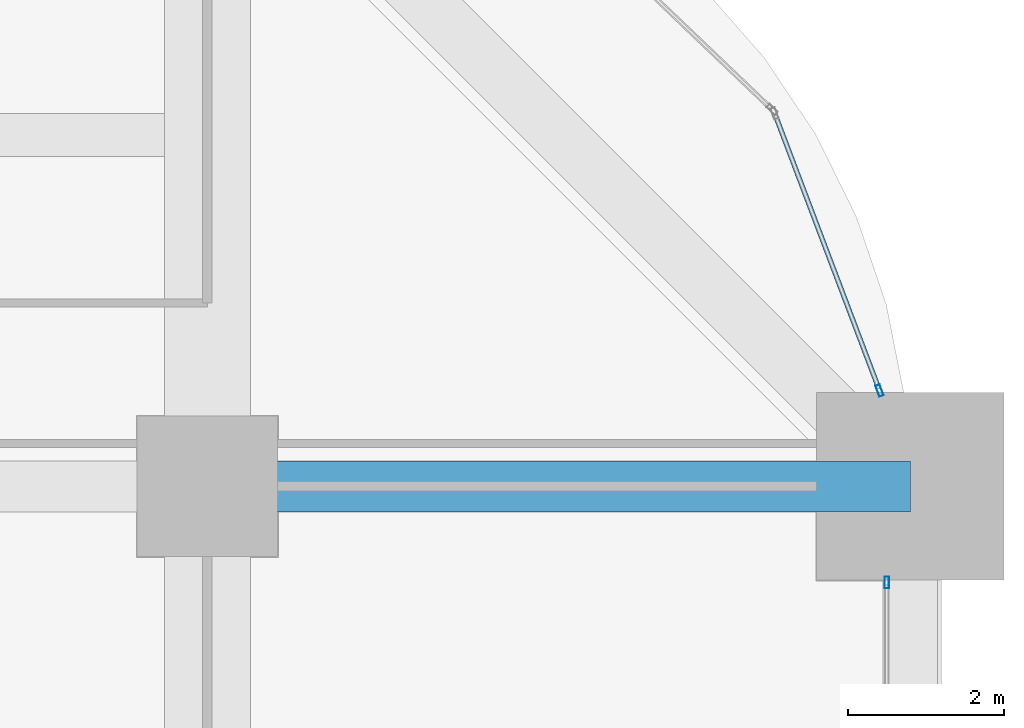
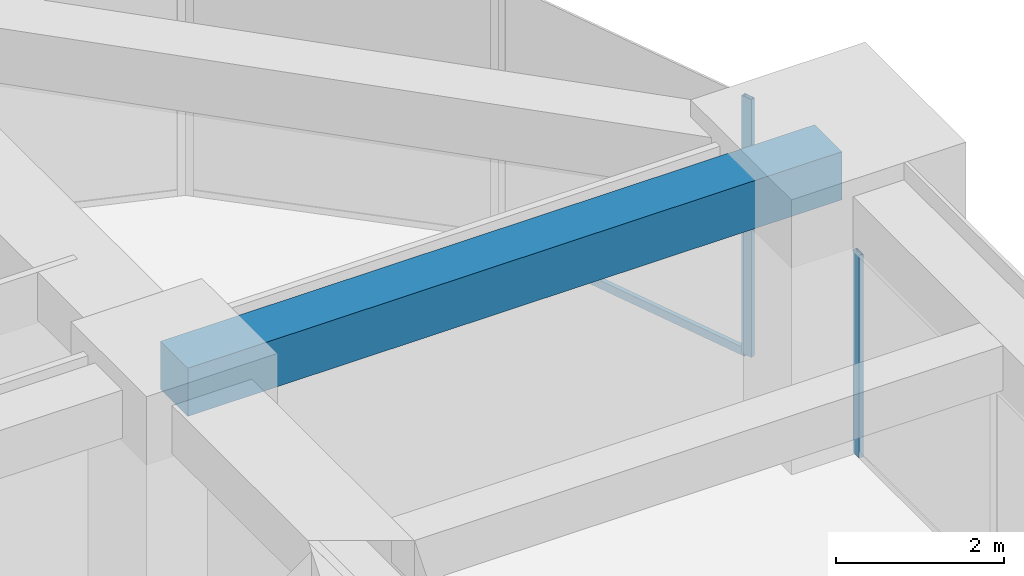
# One storey, part 32 of 40: 3 members, 1 beam, 2 elements without a shape of their own.
"""IFC4 building model written with IfcOpenShell, lengths in metres."""

from ifc_helpers import new_model, si_unit, direction, frame, origin, origin_2d, place, context, subcontext, project, spatial, rectangle, hollow_rectangle, extrude, material, material_profile, profile_set, type_object, element, aggregate, save


model = new_model("IFC4")

# Units and contexts
model_context = context("Model", 3, precision=1e-05, world=origin(), true_north=direction((0.0, 1.0)))
body_context = subcontext(model_context, "Body", "Model", "MODEL_VIEW")
ifc_project = project(units=[si_unit("LENGTHUNIT", "METRE"), si_unit("AREAUNIT", "SQUARE_METRE"), si_unit("VOLUMEUNIT", "CUBIC_METRE"), si_unit("PLANEANGLEUNIT", "RADIAN"), si_unit("MASSUNIT", "GRAM", prefix="KILO")], contexts=[model_context])

# Site, building, storey
site_placement = place(None, origin())
site = spatial("IfcSite", under=ifc_project, at=site_placement, CompositionType="ELEMENT")
building_placement = place(site_placement, origin())
building = spatial("IfcBuilding", under=site, at=building_placement, Name="Zorevar Civic Tower", CompositionType="ELEMENT")
storey_placement = place(building_placement, frame((0.0, 0.0, 129.0)))
storey = spatial("IfcBuildingStorey", under=building, at=storey_placement, Name="L31", CompositionType="ELEMENT", Elevation=129.0)

# Beam
ifc_material_1 = material(Name="Concrete C50/60", Category="concrete")
ifc_material_profile_1 = material_profile(ifc_material_1, rectangle(XDim=0.64990234375, YDim=0.699951171875, at=origin_2d()), Name="RC 650x700")
ifc_profile_set_1 = profile_set([ifc_material_profile_1], Name="Concrete C50/60")
beam_type = type_object("IfcBeamType", Name="Beam RC 650x700", PredefinedType="BEAM", material=ifc_profile_set_1)
beam_placement = place(storey_placement, frame((54.0, 36.0, 3.39990234375), z_axis=(1.0, 0.0, 0.0), x_axis=(0.0, 1.0, 0.0)))
element("IfcBeam", 1, at=beam_placement, inside=storey, type_object=beam_type, Name="Girder L32", PredefinedType="BEAM", context=body_context, shape_type="SweptSolid", body=[
    extrude(rectangle(XDim=0.64990234375, YDim=0.699951171875, at=origin_2d()), origin(), (0.0, 0.0, 1.0), 9.0),
])

# Curtain wall, member
ifc_material_2 = material(Name="Dark grey solar-control glass in black aluminium frame", Category="aluminium")
curtain_wall_type = type_object("IfcCurtainWallType", Name="Curtain wall CW3 mid zone", PredefinedType="NOTDEFINED", material=ifc_material_2)
curtain_wall_1_placement = place(storey_placement, origin())
curtain_wall_1 = element("IfcCurtainWall", 2, at=curtain_wall_1_placement, inside=storey, type_object=curtain_wall_type, Name="CW3 L31", PredefinedType="NOTDEFINED")
ifc_material_3 = material(Name="Aluminium, black anodised", Category="aluminium")
ifc_material_profile_2 = material_profile(ifc_material_3, hollow_rectangle(XDim=0.06005859375, YDim=0.14990234375, WallThickness=0.00390625, at=origin_2d()), Name="AL 150x60x4")
ifc_profile_set_2 = profile_set([ifc_material_profile_2], Name="Aluminium, black anodised")
member_type_1 = type_object("IfcMemberType", Name="CW3 mullion AL 150x60x4", PredefinedType="MULLION", material=ifc_profile_set_2)
member_1_placement = place(storey_placement, frame((62.699951171875, 34.77001953125, 0.0), z_axis=(0.0, 0.0, 1.0), x_axis=(-1.0, 0.0, 0.0)))
member_1 = element("IfcMember", 3, at=member_1_placement, type_object=member_type_1, Name="CW3 mullion 3", PredefinedType="MULLION", context=body_context, shape_type="SweptSolid", body=[
    extrude(hollow_rectangle(XDim=0.06005859375, YDim=0.14990234375, WallThickness=0.00390625, at=origin_2d()), origin(), (0.0, 0.0, 1.0), 2.949951171875),
])
aggregate(curtain_wall_1, [member_1])

# Curtain wall, members
curtain_wall_2_placement = place(storey_placement, origin())
curtain_wall_2 = element("IfcCurtainWall", 4, at=curtain_wall_2_placement, inside=storey, type_object=curtain_wall_type, Name="CW3 L31", PredefinedType="NOTDEFINED")
member_2_placement = place(storey_placement, frame((62.606201171875, 37.22802734375, 0.0), z_axis=(0.0, 0.0, 1.0), x_axis=(-0.935276561184, -0.353917722218, 0.0)))
member_2 = element("IfcMember", 5, at=member_2_placement, type_object=member_type_1, Name="CW3 mullion 1", PredefinedType="MULLION", context=body_context, shape_type="SweptSolid", body=[
    extrude(hollow_rectangle(XDim=0.06005859375, YDim=0.14990234375, WallThickness=0.00390625, at=origin_2d()), origin(), (0.0, 0.0, 1.0), 3.75),
])
ifc_material_4 = material(Name="Aluminium, black anodised", Category="aluminium")
ifc_material_profile_3 = material_profile(ifc_material_4, hollow_rectangle(XDim=0.06005859375, YDim=0.1201171875, WallThickness=0.0029296875, at=origin_2d()), Name="AL 120x60x3")
ifc_profile_set_3 = profile_set([ifc_material_profile_3], Name="Aluminium, black anodised")
member_type_2 = type_object("IfcMemberType", Name="CW3 transom AL 120x60x3", PredefinedType="USERDEFINED", material=ifc_profile_set_3)
member_3_placement = place(storey_placement, frame((62.595458984375, 37.256103515625, 0.030029296875), z_axis=(-0.353923007857, 0.93527456103, 0.0), x_axis=(-0.93527456103, -0.353923007857, 0.0)))
member_3 = element("IfcMember", 6, at=member_3_placement, type_object=member_type_2, Name="CW3 sill transom", ObjectType="TRANSOM", PredefinedType="USERDEFINED", context=body_context, shape_type="SweptSolid", body=[
    extrude(hollow_rectangle(XDim=0.06005859375, YDim=0.1201171875, WallThickness=0.0029296875, at=origin_2d()), origin(), (0.0, 0.0, 1.0), 3.734619140625),
])
aggregate(curtain_wall_2, [member_2, member_3])

save(model, "model.ifc")
